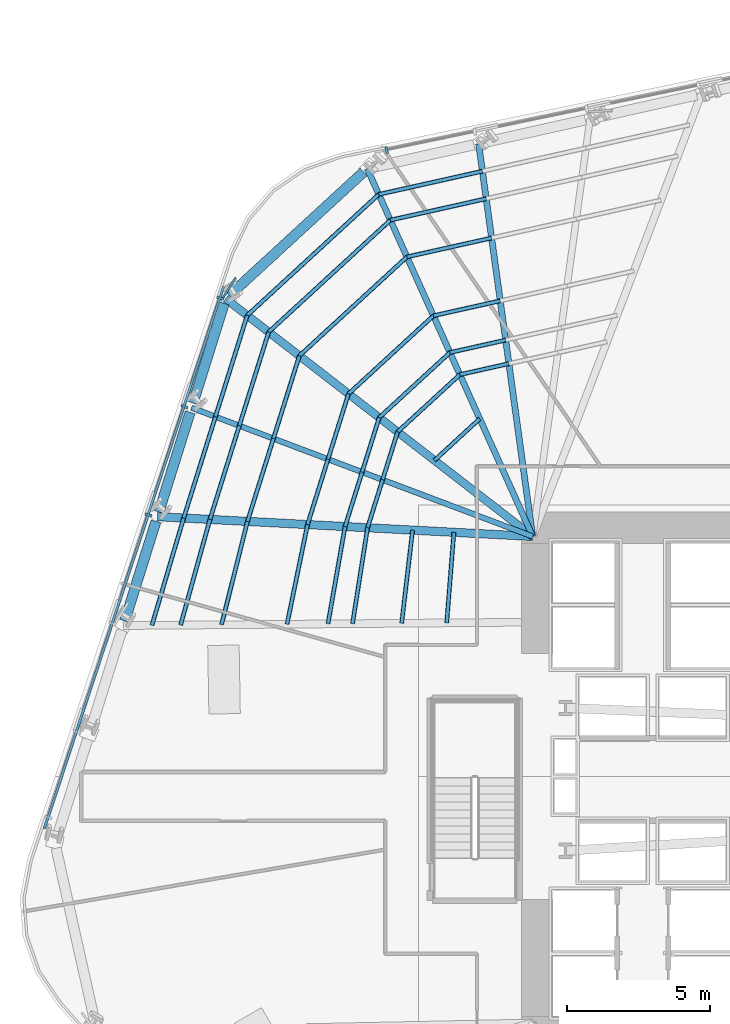
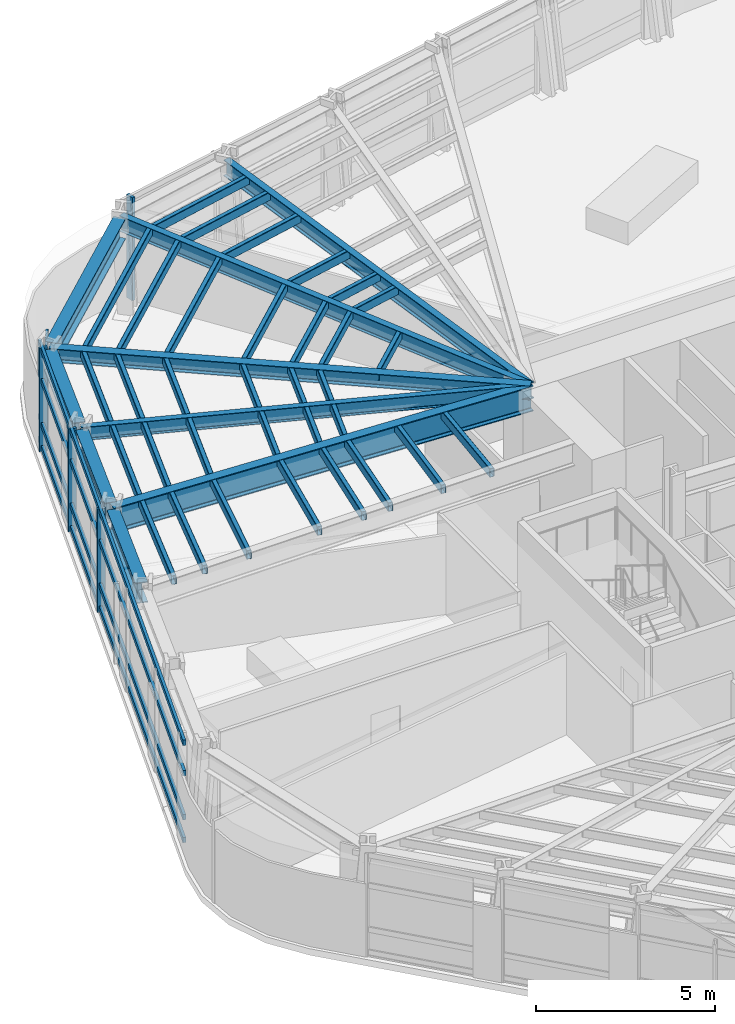
# One storey, part 5 of 17: 42 members, 9 beams, 2 elements without a shape of their own.
"""IFC4 building model written with IfcOpenShell, lengths in metres."""

from ifc_helpers import new_model, si_unit, direction, frame, origin, origin_2d, place, context, subcontext, project, spatial, rectangle, hollow_rectangle, i_section, extrude, material, layer, layer_set, material_profile, profile_set, type_object, element, aggregate, save


model = new_model("IFC4")

# Units and contexts
model_context = context("Model", 3, precision=1e-05, world=origin(), true_north=direction((0.0, 1.0)))
body_context = subcontext(model_context, "Body", "Model", "MODEL_VIEW")
ifc_project = project(units=[si_unit("LENGTHUNIT", "METRE"), si_unit("AREAUNIT", "SQUARE_METRE"), si_unit("VOLUMEUNIT", "CUBIC_METRE"), si_unit("PLANEANGLEUNIT", "RADIAN"), si_unit("MASSUNIT", "GRAM", prefix="KILO")], contexts=[model_context])

# Site, building, storey
site_placement = place(None, origin())
site = spatial("IfcSite", under=ifc_project, at=site_placement, CompositionType="ELEMENT")
building_placement = place(site_placement, origin())
building = spatial("IfcBuilding", under=site, at=building_placement, Name="Valkerne Bourse Tower", CompositionType="ELEMENT")
storey_placement = place(building_placement, frame((0.0, 0.0, 73.39990234375)))
storey = spatial("IfcBuildingStorey", under=building, at=storey_placement, Name="L18", CompositionType="ELEMENT", Elevation=73.39990234375)

# Beams
ifc_material_1 = material(Name="Steel ASTM A992", Category="steel")
ifc_material_profile_1 = material_profile(ifc_material_1, i_section(OverallWidth=0.1904296875, OverallDepth=0.457275390625, WebThickness=0.009033203125, FlangeThickness=0.014404296875, FilletRadius=0.01513671875, at=origin_2d()), Name="W18X50")
ifc_profile_set_1 = profile_set([ifc_material_profile_1], Name="Steel ASTM A992")
beam_type_1 = type_object("IfcBeamType", Name="BM-W18X50", PredefinedType="JOIST", material=ifc_profile_set_1)
beam_1_placement = place(storey_placement, frame((25.659912109375, 39.90625, 3.29150390625), z_axis=(0.93558574164, -0.353099589408, 0.0), x_axis=(0.353099589408, 0.93558574164, 0.0)))
element("IfcBeam", 1, at=beam_1_placement, inside=storey, type_object=beam_type_1, Name="L18 Radial Composite Floor Beam 13", PredefinedType="JOIST", context=body_context, shape_type="SweptSolid", body=[
    extrude(i_section(OverallWidth=0.1904296875, OverallDepth=0.457275390625, WebThickness=0.009033203125, FlangeThickness=0.014404296875, FilletRadius=0.01513671875, at=origin_2d()), origin(), (0.0, 0.0, 1.0), 12.76220703125),
])
ifc_material_profile_2 = material_profile(ifc_material_1, i_section(OverallWidth=0.279296875, OverallDepth=0.46240234375, WebThickness=0.0107421875, FlangeThickness=0.017333984375, FilletRadius=0.017822265625, at=origin_2d()), Name="W18X76")
ifc_profile_set_2 = profile_set([ifc_material_profile_2], Name="Steel ASTM A992")
beam_type_2 = type_object("IfcBeamType", Name="BM-W18X76", PredefinedType="BEAM", material=ifc_profile_set_2)
beam_2_placement = place(storey_placement, frame((26.85498046875, 43.719482421875, 3.2890625), z_axis=(0.790695934556, -0.612209064843, 0.0), x_axis=(0.612209064843, 0.790695934556, 0.0)))
element("IfcBeam", 2, at=beam_2_placement, inside=storey, type_object=beam_type_2, Name="L18 Radial Composite Floor Beam 12", PredefinedType="BEAM", context=body_context, shape_type="SweptSolid", body=[
    extrude(i_section(OverallWidth=0.279296875, OverallDepth=0.46240234375, WebThickness=0.0107421875, FlangeThickness=0.017333984375, FilletRadius=0.017822265625, at=origin_2d()), origin(), (0.0, 0.0, 1.0), 13.58935546875),
])
ifc_material_profile_3 = material_profile(ifc_material_1, i_section(OverallWidth=0.209228515625, OverallDepth=0.533447265625, WebThickness=0.01025390625, FlangeThickness=0.015625, FilletRadius=0.017822265625, at=origin_2d()), Name="W21X62")
ifc_profile_set_3 = profile_set([ifc_material_profile_3], Name="Steel ASTM A992")
beam_type_3 = type_object("IfcBeamType", Name="BM-W21X62", PredefinedType="JOIST", material=ifc_profile_set_3)
beam_3_placement = place(storey_placement, frame((31.80810546875, 48.274169921875, 3.25341796875), z_axis=(0.410280543084, -0.911959360919, 0.0), x_axis=(0.911959360919, 0.410280543084, 0.0)))
element("IfcBeam", 3, at=beam_3_placement, inside=storey, type_object=beam_type_3, Name="L18 Radial Composite Floor Beam 11", PredefinedType="JOIST", context=body_context, shape_type="SweptSolid", body=[
    extrude(i_section(OverallWidth=0.209228515625, OverallDepth=0.533447265625, WebThickness=0.01025390625, FlangeThickness=0.015625, FilletRadius=0.017822265625, at=origin_2d()), origin(), (0.0, 0.0, 1.0), 14.1171875),
])
ifc_material_profile_4 = material_profile(ifc_material_1, i_section(OverallWidth=0.2138671875, OverallDepth=0.548583984375, WebThickness=0.0146484375, FlangeThickness=0.023681640625, FilletRadius=0.017822265625, at=origin_2d()), Name="W21X93")
ifc_profile_set_4 = profile_set([ifc_material_profile_4], Name="Steel ASTM A992")
beam_type_4 = type_object("IfcBeamType", Name="BM-W21X93", PredefinedType="BEAM", material=ifc_profile_set_4)
beam_4_placement = place(storey_placement, frame((35.7080078125, 49.14599609375, 3.245849609375), z_axis=(0.136359939567, -0.99065935966, 0.0), x_axis=(0.99065935966, 0.136359939567, 0.0)))
element("IfcBeam", 4, at=beam_4_placement, inside=storey, type_object=beam_type_4, Name="L18 Radial Composite Floor Beam 10", PredefinedType="BEAM", context=body_context, shape_type="SweptSolid", body=[
    extrude(i_section(OverallWidth=0.2138671875, OverallDepth=0.548583984375, WebThickness=0.0146484375, FlangeThickness=0.023681640625, FilletRadius=0.017822265625, at=origin_2d()), origin(), (0.0, 0.0, 1.0), 13.875732421875),
])
ifc_material_profile_5 = material_profile(ifc_material_1, i_section(OverallWidth=0.358154296875, OverallDepth=0.7060546875, WebThickness=0.018310546875, FlangeThickness=0.0302734375, FilletRadius=0.02294921875, at=origin_2d()), Name="W27X178")
ifc_profile_set_5 = profile_set([ifc_material_profile_5], Name="Steel ASTM A992")
beam_type_5 = type_object("IfcBeamType", Name="BM-W27X178", PredefinedType="SPANDREL", material=ifc_profile_set_5)
beam_5_placement = place(storey_placement, frame((31.68310546875, 48.1591796875, 3.1669921875), z_axis=(-0.73611909713, -0.676852033195, 0.0), x_axis=(0.676852033195, -0.73611909713, 0.0)))
element("IfcBeam", 5, at=beam_5_placement, inside=storey, type_object=beam_type_5, Name="L18 Hexagonal Spandrel Ring Beam 11", PredefinedType="SPANDREL", context=body_context, shape_type="SweptSolid", body=[
    extrude(i_section(OverallWidth=0.358154296875, OverallDepth=0.7060546875, WebThickness=0.018310546875, FlangeThickness=0.0302734375, FilletRadius=0.02294921875, at=origin_2d()), origin(), (0.0, 0.0, 1.0), 6.38916015625),
])
for number, where, z_axis, x_axis, name in (
    (6, (26.80419921875, 43.557373046875, 3.1669921875), (-0.299088550744, -0.954225360601, 0.0), (0.954225360601, -0.299088550744, 0.0), "L18 Hexagonal Spandrel Ring Beam 12"),
    (7, (25.609130859375, 39.744140625, 3.1669921875), (-0.299027746535, -0.9542444167, 0.0), (0.9542444167, -0.299027746535, 0.0), "L18 Hexagonal Spandrel Ring Beam 13"),
    (8, (24.414306640625, 35.930908203125, 3.1669921875), (-0.299088550744, -0.954225360601, 0.0), (0.954225360601, -0.299088550744, 0.0), "L18 Hexagonal Spandrel Ring Beam 14"),
):
    element("IfcBeam", number, at=place(storey_placement, frame(where, z_axis=z_axis, x_axis=x_axis)), inside=storey, type_object=beam_type_5, Name=name, PredefinedType="SPANDREL", context=body_context, shape_type="SweptSolid", body=[
        extrude(i_section(OverallWidth=0.358154296875, OverallDepth=0.7060546875, WebThickness=0.018310546875, FlangeThickness=0.0302734375, FilletRadius=0.02294921875, at=origin_2d()), origin(), (0.0, 0.0, 1.0), 3.656005859375),
    ])
ifc_material_profile_6 = material_profile(ifc_material_1, i_section(OverallWidth=0.2919921875, OverallDepth=0.8583984375, WebThickness=0.01708984375, FlangeThickness=0.031005859375, FilletRadius=0.025390625, at=origin_2d()), Name="W33X169")
ifc_profile_set_6 = profile_set([ifc_material_profile_6], Name="Steel ASTM A992")
beam_type_6 = type_object("IfcBeamType", Name="BM-W33X169", PredefinedType="BEAM", material=ifc_profile_set_6)
beam_6_placement = place(storey_placement, frame((24.465087890625, 36.09326171875, 3.0908203125), z_axis=(0.99860966476, -0.052713731119, 0.0), x_axis=(0.052713731119, 0.99860966476, 0.0)))
element("IfcBeam", 9, at=beam_6_placement, inside=storey, type_object=beam_type_6, Name="L18 Radial Composite Floor Beam 14", PredefinedType="BEAM", context=body_context, shape_type="SweptSolid", body=[
    extrude(i_section(OverallWidth=0.2919921875, OverallDepth=0.8583984375, WebThickness=0.01708984375, FlangeThickness=0.031005859375, FilletRadius=0.025390625, at=origin_2d()), origin(), (0.0, 0.0, 1.0), 13.1533203125),
])

# Curtain wall, member
ifc_material_2 = material(Name="Aluminium AA 6063-T6", Category="aluminium")
ifc_layer = layer(ifc_material_2, 0.22509765625)
ifc_layer_set = layer_set([ifc_layer], Name="Aluminium AA 6063-T6")
curtain_wall_type = type_object("IfcCurtainWallType", Name="CW-01", PredefinedType="NOTDEFINED", material=ifc_layer_set)
curtain_wall_1_placement = place(storey_placement, origin())
curtain_wall_1 = element("IfcCurtainWall", 10, at=curtain_wall_1_placement, inside=storey, type_object=curtain_wall_type, Name="L18 Hexagonal Stick Curtain Wall Face 2", PredefinedType="NOTDEFINED")
ifc_material_profile_7 = material_profile(ifc_material_2, rectangle(XDim=0.090087890625, YDim=0.239990234375, at=origin_2d()), Name="CWM-90X240")
ifc_profile_set_7 = profile_set([ifc_material_profile_7], Name="Aluminium AA 6063-T6")
member_type_1 = type_object("IfcMemberType", Name="CW-MUL-240X90", PredefinedType="MULLION", material=ifc_profile_set_7)
member_1_placement = place(storey_placement, frame((32.486328125, 48.925048828125, 0.0), z_axis=(0.0, 0.0, 1.0), x_axis=(-0.97921999513, -0.202800890378, 0.0)))
member_1 = element("IfcMember", 11, at=member_1_placement, type_object=member_type_1, Name="CW-L18-F2 Jamb Mullion 04B", PredefinedType="MULLION", context=body_context, shape_type="SweptSolid", body=[
    extrude(rectangle(XDim=0.090087890625, YDim=0.239990234375, at=origin_2d()), origin(), (0.0, 0.0, 1.0), 3.52001953125),
])
aggregate(curtain_wall_1, [member_1])

# Curtain wall, members
curtain_wall_2_placement = place(storey_placement, origin())
curtain_wall_2 = element("IfcCurtainWall", 12, at=curtain_wall_2_placement, inside=storey, type_object=curtain_wall_type, Name="L18 Hexagonal Stick Curtain Wall Face 3", PredefinedType="NOTDEFINED")
member_2_placement = place(storey_placement, frame((26.665283203125, 43.73876953125, 0.0), z_axis=(0.0, 0.0, 1.0), x_axis=(-0.31398964478, -0.949426407349, 0.0)))
member_2 = element("IfcMember", 13, at=member_2_placement, type_object=member_type_1, Name="CW-L18-F3 Jamb Mullion 00A", PredefinedType="MULLION", context=body_context, shape_type="SweptSolid", body=[
    extrude(rectangle(XDim=0.090087890625, YDim=0.239990234375, at=origin_2d()), origin(), (0.0, 0.0, 1.0), 3.52001953125),
])
member_3_placement = place(storey_placement, frame((25.41064453125, 39.94482421875, 0.0), z_axis=(0.0, 0.0, 1.0), x_axis=(-0.31398964478, -0.949426407349, 0.0)))
member_3 = element("IfcMember", 14, at=member_3_placement, type_object=member_type_1, Name="CW-L18-F3 Jamb Mullion 01A", PredefinedType="MULLION", context=body_context, shape_type="SweptSolid", body=[
    extrude(rectangle(XDim=0.090087890625, YDim=0.239990234375, at=origin_2d()), origin(), (0.0, 0.0, 1.0), 3.52001953125),
])
member_4_placement = place(storey_placement, frame((24.156005859375, 36.15087890625, 0.0), z_axis=(0.0, 0.0, 1.0), x_axis=(-0.31398964478, -0.949426407349, 0.0)))
member_4 = element("IfcMember", 15, at=member_4_placement, type_object=member_type_1, Name="CW-L18-F3 Jamb Mullion 02A", PredefinedType="MULLION", context=body_context, shape_type="SweptSolid", body=[
    extrude(rectangle(XDim=0.090087890625, YDim=0.239990234375, at=origin_2d()), origin(), (0.0, 0.0, 1.0), 3.52001953125),
])
ifc_material_profile_8 = material_profile(ifc_material_2, rectangle(XDim=0.090087890625, YDim=0.179931640625, at=origin_2d()), Name="CWT-90X180")
ifc_profile_set_8 = profile_set([ifc_material_profile_8], Name="Aluminium AA 6063-T6")
member_type_2 = type_object("IfcMemberType", Name="CW-TRN-180X90", PredefinedType="USERDEFINED", material=ifc_profile_set_8)
member_5_placement = place(storey_placement, frame((26.7783203125, 44.143798828125, 0.1201171875), z_axis=(-0.313998101867, -0.94942361042, 0.0), x_axis=(0.94942361042, -0.313998101867, 0.0)))
member_5 = element("IfcMember", 16, at=member_5_placement, type_object=member_type_2, Name="CW-L18-F3 Continuous Face Transom 1", ObjectType="TRANSOM", PredefinedType="USERDEFINED", context=body_context, shape_type="SweptSolid", body=[
    extrude(rectangle(XDim=0.090087890625, YDim=0.179931640625, at=origin_2d()), origin(), (0.0, 0.0, 1.0), 19.97998046875),
])
member_6_placement = place(storey_placement, frame((26.7783203125, 44.143798828125, 0.900146484375), z_axis=(-0.313998101867, -0.94942361042, 0.0), x_axis=(0.94942361042, -0.313998101867, 0.0)))
member_6 = element("IfcMember", 17, at=member_6_placement, type_object=member_type_2, Name="CW-L18-F3 Continuous Face Transom 2", ObjectType="TRANSOM", PredefinedType="USERDEFINED", context=body_context, shape_type="SweptSolid", body=[
    extrude(rectangle(XDim=0.090087890625, YDim=0.179931640625, at=origin_2d()), origin(), (0.0, 0.0, 1.0), 19.97998046875),
])
member_7_placement = place(storey_placement, frame((26.7783203125, 44.143798828125, 2.400146484375), z_axis=(-0.313998101867, -0.94942361042, 0.0), x_axis=(0.94942361042, -0.313998101867, 0.0)))
member_7 = element("IfcMember", 18, at=member_7_placement, type_object=member_type_2, Name="CW-L18-F3 Continuous Face Transom 3", ObjectType="TRANSOM", PredefinedType="USERDEFINED", context=body_context, shape_type="SweptSolid", body=[
    extrude(rectangle(XDim=0.090087890625, YDim=0.179931640625, at=origin_2d()), origin(), (0.0, 0.0, 1.0), 19.97998046875),
])
member_8_placement = place(storey_placement, frame((26.7783203125, 44.143798828125, 3.440185546875), z_axis=(-0.313998101867, -0.94942361042, 0.0), x_axis=(0.94942361042, -0.313998101867, 0.0)))
member_8 = element("IfcMember", 19, at=member_8_placement, type_object=member_type_2, Name="CW-L18-F3 Continuous Face Transom 4", ObjectType="TRANSOM", PredefinedType="USERDEFINED", context=body_context, shape_type="SweptSolid", body=[
    extrude(rectangle(XDim=0.090087890625, YDim=0.179931640625, at=origin_2d()), origin(), (0.0, 0.0, 1.0), 19.97998046875),
])
aggregate(curtain_wall_2, [member_5, member_6, member_7, member_8, member_2, member_3, member_4])

# Members
ifc_material_3 = material(Name="Bronze Anodised Aluminium AA 6063-T6", Category="aluminium")
ifc_material_profile_9 = material_profile(ifc_material_3, rectangle(XDim=0.070068359375, YDim=0.89990234375, at=origin_2d()), Name="FIN-70X900")
ifc_profile_set_9 = profile_set([ifc_material_profile_9], Name="Bronze Anodised Aluminium AA 6063-T6")
member_type_3 = type_object("IfcMemberType", Name="FIN-SOLAR-900", PredefinedType="USERDEFINED", material=ifc_profile_set_9)
member_9_placement = place(storey_placement, frame((26.968017578125, 44.080810546875, 0.004150390625), z_axis=(0.0, 0.0, 1.0), x_axis=(-0.846762441607, 0.531971209262, 0.0)))
element("IfcMember", 20, at=member_9_placement, inside=storey, type_object=member_type_3, Name="L18 Bronze Anodised Solar Fin F3-00", ObjectType="SOLAR_FIN", PredefinedType="USERDEFINED", context=body_context, shape_type="SweptSolid", body=[
    extrude(rectangle(XDim=0.070068359375, YDim=0.89990234375, at=origin_2d()), origin(), (0.0, 0.0, 1.0), 3.511962890625),
])
ifc_material_4 = material(Name="Steel ASTM A500 Grade C", Category="steel")
ifc_material_profile_10 = material_profile(ifc_material_4, hollow_rectangle(XDim=0.14990234375, YDim=0.300048828125, WallThickness=0.012451171875, OuterFilletRadius=0.02490234375, at=origin_2d()), Name="HSS300X150X12.5")
ifc_profile_set_10 = profile_set([ifc_material_profile_10], Name="Steel ASTM A500 Grade C")
member_type_4 = type_object("IfcMemberType", Name="MBR-HSS300X150X12.5", PredefinedType="PURLIN", material=ifc_profile_set_10)
member_10_placement = place(storey_placement, frame((35.74658203125, 39.519775390625, 3.360107421875), z_axis=(-0.736080140229, -0.676894398825, 0.0), x_axis=(0.676894398825, -0.736080140229, 0.0)))
element("IfcMember", 21, at=member_10_placement, inside=storey, type_object=member_type_4, Name="L18 Secondary Composite Floor Purlin I-11", PredefinedType="PURLIN", context=body_context, shape_type="SweptSolid", body=[
    extrude(hollow_rectangle(XDim=0.14990234375, YDim=0.300048828125, WallThickness=0.012451171875, OuterFilletRadius=0.02490234375, at=origin_2d()), origin(), (0.0, 0.0, 1.0), 2.1533203125),
])
member_11_placement = place(storey_placement, frame((33.396728515625, 35.621826171875, 3.360107421875), z_axis=(-0.116470129499, -0.993194194976, 0.0), x_axis=(0.993194194976, -0.116470129499, 0.0)))
element("IfcMember", 22, at=member_11_placement, inside=storey, type_object=member_type_4, Name="L18 Secondary Composite Floor Purlin I-14", PredefinedType="PURLIN", context=body_context, shape_type="SweptSolid", body=[
    extrude(hollow_rectangle(XDim=0.14990234375, YDim=0.300048828125, WallThickness=0.012451171875, OuterFilletRadius=0.02490234375, at=origin_2d()), origin(), (0.0, 0.0, 1.0), 3.28271484375),
])
member_12_placement = place(storey_placement, frame((36.767578125, 41.4482421875, 3.360107421875), z_axis=(-0.975921717046, -0.21812107234, 0.0), x_axis=(0.21812107234, -0.975921717046, 0.0)))
element("IfcMember", 23, at=member_12_placement, inside=storey, type_object=member_type_4, Name="L18 Secondary Composite Floor Purlin K-10", PredefinedType="PURLIN", context=body_context, shape_type="SweptSolid", body=[
    extrude(hollow_rectangle(XDim=0.14990234375, YDim=0.300048828125, WallThickness=0.012451171875, OuterFilletRadius=0.02490234375, at=origin_2d()), origin(), (0.0, 0.0, 1.0), 1.75830078125),
])
member_13_placement = place(storey_placement, frame((35.051513671875, 41.064697265625, 3.360107421875), z_axis=(-0.736050976627, -0.676926111039, 0.0), x_axis=(0.676926111039, -0.736050976627, 0.0)))
element("IfcMember", 24, at=member_13_placement, inside=storey, type_object=member_type_4, Name="L18 Secondary Composite Floor Purlin K-11", PredefinedType="PURLIN", context=body_context, shape_type="SweptSolid", body=[
    extrude(hollow_rectangle(XDim=0.14990234375, YDim=0.300048828125, WallThickness=0.012451171875, OuterFilletRadius=0.02490234375, at=origin_2d()), origin(), (0.0, 0.0, 1.0), 2.960693359375),
])
for number, where, z_axis, x_axis, name in (
    (25, (32.872314453125, 39.060546875, 3.360107421875), (-0.299097150812, -0.954222664988, 0.0), (0.954222664988, -0.299097150812, 0.0), "L18 Secondary Composite Floor Purlin K-12"),
    (26, (32.346435546875, 37.3828125, 3.360107421875), (-0.299097150812, -0.954222664988, 0.0), (0.954222664988, -0.299097150812, 0.0), "L18 Secondary Composite Floor Purlin K-13"),
):
    element("IfcMember", number, at=place(storey_placement, frame(where, z_axis=z_axis, x_axis=x_axis)), inside=storey, type_object=member_type_4, Name=name, PredefinedType="PURLIN", context=body_context, shape_type="SweptSolid", body=[
        extrude(hollow_rectangle(XDim=0.14990234375, YDim=0.300048828125, WallThickness=0.012451171875, OuterFilletRadius=0.02490234375, at=origin_2d()), origin(), (0.0, 0.0, 1.0), 1.75830078125),
    ])
member_14_placement = place(storey_placement, frame((31.820556640625, 35.705078125, 3.360107421875), z_axis=(-0.154652969709, -0.987968855258, 0.0), x_axis=(0.987968855258, -0.154652969709, 0.0)))
element("IfcMember", 27, at=member_14_placement, inside=storey, type_object=member_type_4, Name="L18 Secondary Composite Floor Purlin K-14", PredefinedType="PURLIN", context=body_context, shape_type="SweptSolid", body=[
    extrude(hollow_rectangle(XDim=0.14990234375, YDim=0.300048828125, WallThickness=0.012451171875, OuterFilletRadius=0.02490234375, at=origin_2d()), origin(), (0.0, 0.0, 1.0), 3.398681640625),
])
member_15_placement = place(storey_placement, frame((36.654052734375, 42.27294921875, 3.360107421875), z_axis=(-0.975924721699, -0.218107628425, 0.0), x_axis=(0.218107628425, -0.975924721699, 0.0)))
element("IfcMember", 28, at=member_15_placement, inside=storey, type_object=member_type_4, Name="L18 Secondary Composite Floor Purlin M-10", PredefinedType="PURLIN", context=body_context, shape_type="SweptSolid", body=[
    extrude(hollow_rectangle(XDim=0.14990234375, YDim=0.300048828125, WallThickness=0.012451171875, OuterFilletRadius=0.02490234375, at=origin_2d()), origin(), (0.0, 0.0, 1.0), 1.998046875),
])
member_16_placement = place(storey_placement, frame((34.7041015625, 41.837158203125, 3.360107421875), z_axis=(-0.736092971478, -0.676880445382, 0.0), x_axis=(0.676880445382, -0.736092971478, 0.0)))
element("IfcMember", 29, at=member_16_placement, inside=storey, type_object=member_type_4, Name="L18 Secondary Composite Floor Purlin M-11", PredefinedType="PURLIN", context=body_context, shape_type="SweptSolid", body=[
    extrude(hollow_rectangle(XDim=0.14990234375, YDim=0.300048828125, WallThickness=0.012451171875, OuterFilletRadius=0.02490234375, at=origin_2d()), origin(), (0.0, 0.0, 1.0), 3.364501953125),
])
member_17_placement = place(storey_placement, frame((32.2275390625, 39.559814453125, 3.360107421875), z_axis=(-0.299095790951, -0.954223091229, 0.0), x_axis=(0.954223091229, -0.299095790951, 0.0)))
element("IfcMember", 30, at=member_17_placement, inside=storey, type_object=member_type_4, Name="L18 Secondary Composite Floor Purlin M-12", PredefinedType="PURLIN", context=body_context, shape_type="SweptSolid", body=[
    extrude(hollow_rectangle(XDim=0.14990234375, YDim=0.300048828125, WallThickness=0.012451171875, OuterFilletRadius=0.02490234375, at=origin_2d()), origin(), (0.0, 0.0, 1.0), 1.998291015625),
])
member_18_placement = place(storey_placement, frame((31.6298828125, 37.653076171875, 3.360107421875), z_axis=(-0.2990193992, -0.95424703243, 0.0), x_axis=(0.95424703243, -0.2990193992, 0.0)))
element("IfcMember", 31, at=member_18_placement, inside=storey, type_object=member_type_4, Name="L18 Secondary Composite Floor Purlin M-13", PredefinedType="PURLIN", context=body_context, shape_type="SweptSolid", body=[
    extrude(hollow_rectangle(XDim=0.14990234375, YDim=0.300048828125, WallThickness=0.012451171875, OuterFilletRadius=0.02490234375, at=origin_2d()), origin(), (0.0, 0.0, 1.0), 1.997802734375),
])
member_19_placement = place(storey_placement, frame((31.032470703125, 35.74658203125, 3.360107421875), z_axis=(-0.172738202534, -0.984967772765, 0.0), x_axis=(0.984967772765, -0.172738202534, 0.0)))
element("IfcMember", 32, at=member_19_placement, inside=storey, type_object=member_type_4, Name="L18 Secondary Composite Floor Purlin M-14", PredefinedType="PURLIN", context=body_context, shape_type="SweptSolid", body=[
    extrude(hollow_rectangle(XDim=0.14990234375, YDim=0.300048828125, WallThickness=0.012451171875, OuterFilletRadius=0.02490234375, at=origin_2d()), origin(), (0.0, 0.0, 1.0), 3.45849609375),
])
member_20_placement = place(storey_placement, frame((36.162109375, 45.846923828125, 3.360107421875), z_axis=(-0.975910112827, -0.218172985685, 0.0), x_axis=(0.218172985685, -0.975910112827, 0.0)))
element("IfcMember", 33, at=member_20_placement, inside=storey, type_object=member_type_4, Name="L18 Secondary Composite Floor Purlin O-10", PredefinedType="PURLIN", context=body_context, shape_type="SweptSolid", body=[
    extrude(hollow_rectangle(XDim=0.14990234375, YDim=0.300048828125, WallThickness=0.012451171875, OuterFilletRadius=0.02490234375, at=origin_2d()), origin(), (0.0, 0.0, 1.0), 3.037109375),
])
member_21_placement = place(storey_placement, frame((33.1982421875, 45.184326171875, 3.360107421875), z_axis=(-0.736130787282, -0.676839319201, 0.0), x_axis=(0.676839319201, -0.736130787282, 0.0)))
element("IfcMember", 34, at=member_21_placement, inside=storey, type_object=member_type_4, Name="L18 Secondary Composite Floor Purlin O-11", PredefinedType="PURLIN", context=body_context, shape_type="SweptSolid", body=[
    extrude(hollow_rectangle(XDim=0.14990234375, YDim=0.300048828125, WallThickness=0.012451171875, OuterFilletRadius=0.02490234375, at=origin_2d()), origin(), (0.0, 0.0, 1.0), 5.114013671875),
])
member_22_placement = place(storey_placement, frame((29.43359375, 41.722900390625, 3.360107421875), z_axis=(-0.298956913822, -0.954266610376, 0.0), x_axis=(0.954266610376, -0.298956913822, 0.0)))
element("IfcMember", 35, at=member_22_placement, inside=storey, type_object=member_type_4, Name="L18 Secondary Composite Floor Purlin O-12", PredefinedType="PURLIN", context=body_context, shape_type="SweptSolid", body=[
    extrude(hollow_rectangle(XDim=0.14990234375, YDim=0.300048828125, WallThickness=0.012451171875, OuterFilletRadius=0.02490234375, at=origin_2d()), origin(), (0.0, 0.0, 1.0), 3.037109375),
])
member_23_placement = place(storey_placement, frame((28.525634765625, 38.82470703125, 3.360107421875), z_axis=(-0.299053052183, -0.954236486402, 0.0), x_axis=(0.954236486402, -0.299053052183, 0.0)))
element("IfcMember", 36, at=member_23_placement, inside=storey, type_object=member_type_4, Name="L18 Secondary Composite Floor Purlin O-13", PredefinedType="PURLIN", context=body_context, shape_type="SweptSolid", body=[
    extrude(hollow_rectangle(XDim=0.14990234375, YDim=0.300048828125, WallThickness=0.012451171875, OuterFilletRadius=0.02490234375, at=origin_2d()), origin(), (0.0, 0.0, 1.0), 3.036865234375),
])
member_24_placement = place(storey_placement, frame((27.617431640625, 35.9267578125, 3.360107421875), z_axis=(-0.243474914861, -0.969907194444, 0.0), x_axis=(0.969907194444, -0.243474914861, 0.0)))
element("IfcMember", 37, at=member_24_placement, inside=storey, type_object=member_type_4, Name="L18 Secondary Composite Floor Purlin O-14", PredefinedType="PURLIN", context=body_context, shape_type="SweptSolid", body=[
    extrude(hollow_rectangle(XDim=0.14990234375, YDim=0.300048828125, WallThickness=0.012451171875, OuterFilletRadius=0.02490234375, at=origin_2d()), origin(), (0.0, 0.0, 1.0), 3.730224609375),
])
member_25_placement = place(storey_placement, frame((36.464599609375, 43.6474609375, 3.360107421875), z_axis=(-0.975917938856, -0.218137976107, 0.0), x_axis=(0.218137976107, -0.975917938856, 0.0)))
element("IfcMember", 38, at=member_25_placement, inside=storey, type_object=member_type_4, Name="L18 Secondary Composite Floor Purlin Z-10", PredefinedType="PURLIN", context=body_context, shape_type="SweptSolid", body=[
    extrude(hollow_rectangle(XDim=0.14990234375, YDim=0.300048828125, WallThickness=0.012451171875, OuterFilletRadius=0.02490234375, at=origin_2d()), origin(), (0.0, 0.0, 1.0), 2.397216796875),
])
member_26_placement = place(storey_placement, frame((34.125, 43.12451171875, 3.360107421875), z_axis=(-0.73611416459, -0.676857397603, 0.0), x_axis=(0.676857397603, -0.73611416459, 0.0)))
element("IfcMember", 39, at=member_26_placement, inside=storey, type_object=member_type_4, Name="L18 Secondary Composite Floor Purlin Z-11", PredefinedType="PURLIN", context=body_context, shape_type="SweptSolid", body=[
    extrude(hollow_rectangle(XDim=0.14990234375, YDim=0.300048828125, WallThickness=0.012451171875, OuterFilletRadius=0.02490234375, at=origin_2d()), origin(), (0.0, 0.0, 1.0), 4.03759765625),
])
for number, where, z_axis, x_axis, name in (
    (40, (31.15283203125, 40.3916015625, 3.360107421875), (-0.298976497132, -0.954260475008, 0.0), (0.954260475008, -0.298976497132, 0.0), "L18 Secondary Composite Floor Purlin Z-12"),
    (41, (30.43603515625, 38.103759765625, 3.360107421875), (-0.299069221746, -0.954231418789, 0.0), (0.954231418789, -0.299069221746, 0.0), "L18 Secondary Composite Floor Purlin Z-13"),
):
    element("IfcMember", number, at=place(storey_placement, frame(where, z_axis=z_axis, x_axis=x_axis)), inside=storey, type_object=member_type_4, Name=name, PredefinedType="PURLIN", context=body_context, shape_type="SweptSolid", body=[
        extrude(hollow_rectangle(XDim=0.14990234375, YDim=0.300048828125, WallThickness=0.012451171875, OuterFilletRadius=0.02490234375, at=origin_2d()), origin(), (0.0, 0.0, 1.0), 2.3974609375),
    ])
member_27_placement = place(storey_placement, frame((29.718994140625, 35.81591796875, 3.360107421875), z_axis=(-0.20136080615, -0.979517139077, 0.0), x_axis=(0.979517139077, -0.20136080615, 0.0)))
element("IfcMember", 42, at=member_27_placement, inside=storey, type_object=member_type_4, Name="L18 Secondary Composite Floor Purlin Z-14", PredefinedType="PURLIN", context=body_context, shape_type="SweptSolid", body=[
    extrude(hollow_rectangle(XDim=0.14990234375, YDim=0.300048828125, WallThickness=0.012451171875, OuterFilletRadius=0.02490234375, at=origin_2d()), origin(), (0.0, 0.0, 1.0), 3.56103515625),
])
member_28_placement = place(storey_placement, frame((34.841796875, 35.545654296875, 3.360107421875), z_axis=(-0.078903217196, -0.996882281072, 0.0), x_axis=(0.996882281072, -0.078903217196, 0.0)))
element("IfcMember", 43, at=member_28_placement, inside=storey, type_object=member_type_4, Name="L18 Secondary Composite Floor Purlin S-14", PredefinedType="PURLIN", context=body_context, shape_type="SweptSolid", body=[
    extrude(hollow_rectangle(XDim=0.14990234375, YDim=0.300048828125, WallThickness=0.012451171875, OuterFilletRadius=0.02490234375, at=origin_2d()), origin(), (0.0, 0.0, 1.0), 3.180908203125),
])
member_29_placement = place(storey_placement, frame((35.972900390625, 47.221435546875, 3.360107421875), z_axis=(-0.97591384039, -0.218156311242, 0.0), x_axis=(0.218156311242, -0.97591384039, 0.0)))
element("IfcMember", 44, at=member_29_placement, inside=storey, type_object=member_type_4, Name="L18 Secondary Composite Floor Purlin T-10", PredefinedType="PURLIN", context=body_context, shape_type="SweptSolid", body=[
    extrude(hollow_rectangle(XDim=0.14990234375, YDim=0.300048828125, WallThickness=0.012451171875, OuterFilletRadius=0.02490234375, at=origin_2d()), origin(), (0.0, 0.0, 1.0), 3.436767578125),
])
member_30_placement = place(storey_placement, frame((32.618896484375, 46.4716796875, 3.360107421875), z_axis=(-0.736102520023, -0.676870061397, 0.0), x_axis=(0.676870061397, -0.736102520023, 0.0)))
element("IfcMember", 45, at=member_30_placement, inside=storey, type_object=member_type_4, Name="L18 Secondary Composite Floor Purlin T-11", PredefinedType="PURLIN", context=body_context, shape_type="SweptSolid", body=[
    extrude(hollow_rectangle(XDim=0.14990234375, YDim=0.300048828125, WallThickness=0.012451171875, OuterFilletRadius=0.02490234375, at=origin_2d()), origin(), (0.0, 0.0, 1.0), 5.786865234375),
])
for number, where, z_axis, x_axis, name in (
    (46, (28.359130859375, 42.5546875, 3.360107421875), (-0.299019208666, -0.954247092135, 0.0), (0.954247092135, -0.299019208666, 0.0), "L18 Secondary Composite Floor Purlin T-12"),
    (47, (27.33154296875, 39.275390625, 3.360107421875), (-0.299019208666, -0.954247092135, 0.0), (0.954247092135, -0.299019208666, 0.0), "L18 Secondary Composite Floor Purlin T-13"),
):
    element("IfcMember", number, at=place(storey_placement, frame(where, z_axis=z_axis, x_axis=x_axis)), inside=storey, type_object=member_type_4, Name=name, PredefinedType="PURLIN", context=body_context, shape_type="SweptSolid", body=[
        extrude(hollow_rectangle(XDim=0.14990234375, YDim=0.300048828125, WallThickness=0.012451171875, OuterFilletRadius=0.02490234375, at=origin_2d()), origin(), (0.0, 0.0, 1.0), 3.4365234375),
    ])
member_31_placement = place(storey_placement, frame((26.303955078125, 35.99609375, 3.360107421875), z_axis=(-0.267709456346, -0.963499687069, 0.0), x_axis=(0.963499687069, -0.267709456346, 0.0)))
element("IfcMember", 48, at=member_31_placement, inside=storey, type_object=member_type_4, Name="L18 Secondary Composite Floor Purlin T-14", PredefinedType="PURLIN", context=body_context, shape_type="SweptSolid", body=[
    extrude(hollow_rectangle(XDim=0.14990234375, YDim=0.300048828125, WallThickness=0.012451171875, OuterFilletRadius=0.02490234375, at=origin_2d()), origin(), (0.0, 0.0, 1.0), 3.83935546875),
])
member_32_placement = place(storey_placement, frame((35.84033203125, 48.18359375, 3.360107421875), z_axis=(-0.975926682475, -0.218098854727, 0.0), x_axis=(0.218098854727, -0.975926682475, 0.0)))
element("IfcMember", 49, at=member_32_placement, inside=storey, type_object=member_type_4, Name="L18 Secondary Composite Floor Purlin U-10", PredefinedType="PURLIN", context=body_context, shape_type="SweptSolid", body=[
    extrude(hollow_rectangle(XDim=0.14990234375, YDim=0.300048828125, WallThickness=0.012451171875, OuterFilletRadius=0.02490234375, at=origin_2d()), origin(), (0.0, 0.0, 1.0), 3.71630859375),
])
member_33_placement = place(storey_placement, frame((32.21337890625, 47.373046875, 3.360107421875), z_axis=(-0.736079511435, -0.676895082599, 0.0), x_axis=(0.676895082599, -0.736079511435, 0.0)))
element("IfcMember", 50, at=member_33_placement, inside=storey, type_object=member_type_4, Name="L18 Secondary Composite Floor Purlin U-11", PredefinedType="PURLIN", context=body_context, shape_type="SweptSolid", body=[
    extrude(hollow_rectangle(XDim=0.14990234375, YDim=0.300048828125, WallThickness=0.012451171875, OuterFilletRadius=0.02490234375, at=origin_2d()), origin(), (0.0, 0.0, 1.0), 6.2578125),
])
member_34_placement = place(storey_placement, frame((27.607177734375, 43.13720703125, 3.360107421875), z_axis=(-0.299030475812, -0.954243561433, 0.0), x_axis=(0.954243561433, -0.299030475812, 0.0)))
element("IfcMember", 51, at=member_34_placement, inside=storey, type_object=member_type_4, Name="L18 Secondary Composite Floor Purlin U-12", PredefinedType="PURLIN", context=body_context, shape_type="SweptSolid", body=[
    extrude(hollow_rectangle(XDim=0.14990234375, YDim=0.300048828125, WallThickness=0.012451171875, OuterFilletRadius=0.02490234375, at=origin_2d()), origin(), (0.0, 0.0, 1.0), 3.716552734375),
])
member_35_placement = place(storey_placement, frame((26.495849609375, 39.5908203125, 3.360107421875), z_axis=(-0.299049222035, -0.954237686743, 0.0), x_axis=(0.954237686743, -0.299049222035, 0.0)))
element("IfcMember", 52, at=member_35_placement, inside=storey, type_object=member_type_4, Name="L18 Secondary Composite Floor Purlin U-13", PredefinedType="PURLIN", context=body_context, shape_type="SweptSolid", body=[
    extrude(hollow_rectangle(XDim=0.14990234375, YDim=0.300048828125, WallThickness=0.012451171875, OuterFilletRadius=0.02490234375, at=origin_2d()), origin(), (0.0, 0.0, 1.0), 3.71630859375),
])
member_36_placement = place(storey_placement, frame((25.384521484375, 36.044677734375, 3.360107421875), z_axis=(-0.283697859033, -0.958913721239, 0.0), x_axis=(0.958913721239, -0.283697859033, 0.0)))
element("IfcMember", 53, at=member_36_placement, inside=storey, type_object=member_type_4, Name="L18 Secondary Composite Floor Purlin U-14", PredefinedType="PURLIN", context=body_context, shape_type="SweptSolid", body=[
    extrude(hollow_rectangle(XDim=0.14990234375, YDim=0.300048828125, WallThickness=0.012451171875, OuterFilletRadius=0.02490234375, at=origin_2d()), origin(), (0.0, 0.0, 1.0), 3.917236328125),
])

save(model, "model.ifc")
